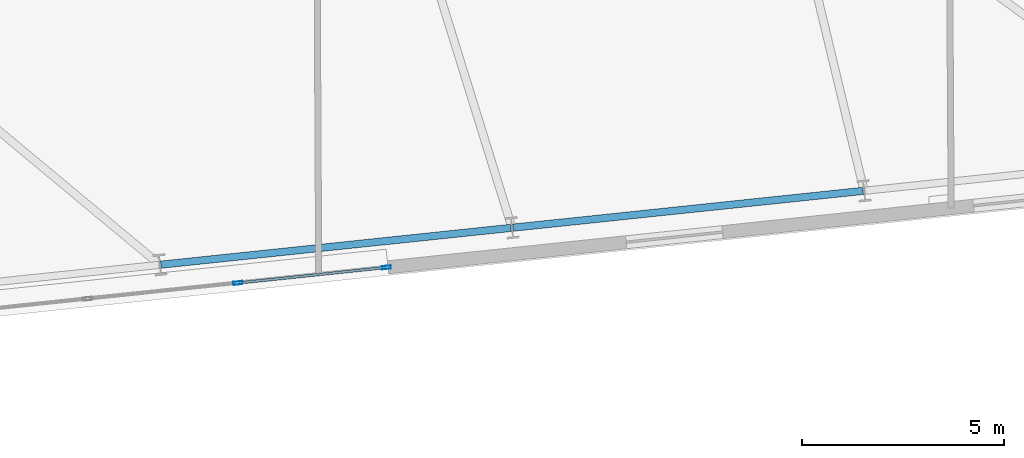
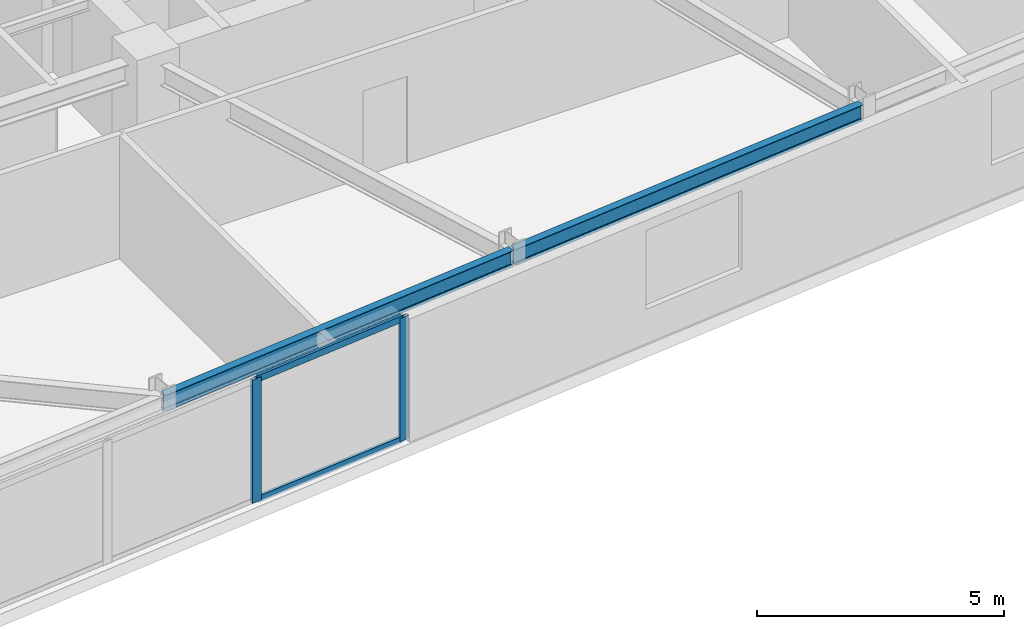
# One storey, part 8 of 23: 4 members, 2 beams, 1 element without a shape of its own.
"""IFC4 building model written with IfcOpenShell, lengths in metres."""

from ifc_helpers import new_model, si_unit, direction, frame, origin, origin_2d, place, context, subcontext, project, spatial, hollow_rectangle, i_section, extrude, material, layer, layer_set, material_profile, profile_set, type_object, element, aggregate, save


model = new_model("IFC4")

# Units and contexts
model_context = context("Model", 3, precision=1e-05, world=origin(), true_north=direction((0.0, 1.0)))
body_context = subcontext(model_context, "Body", "Model", "MODEL_VIEW")
ifc_project = project(units=[si_unit("LENGTHUNIT", "METRE"), si_unit("AREAUNIT", "SQUARE_METRE"), si_unit("VOLUMEUNIT", "CUBIC_METRE"), si_unit("PLANEANGLEUNIT", "RADIAN"), si_unit("MASSUNIT", "GRAM", prefix="KILO")], contexts=[model_context])

# Site, building, storey
site_placement = place(None, origin())
site = spatial("IfcSite", under=ifc_project, at=site_placement, CompositionType="ELEMENT")
building_placement = place(site_placement, origin())
building = spatial("IfcBuilding", under=site, at=building_placement, Name="Qobustan Lattice House", CompositionType="ELEMENT")
storey_placement = place(building_placement, frame((0.0, 0.0, 102.449951171875)))
storey = spatial("IfcBuildingStorey", under=building, at=storey_placement, Name="L28", CompositionType="ELEMENT", Elevation=102.449951171875)

# Beams
ifc_material_1 = material(Name="Steel S355", Category="steel")
ifc_material_profile_1 = material_profile(ifc_material_1, i_section(OverallWidth=0.179931640625, OverallDepth=0.39990234375, WebThickness=0.008544921875, FlangeThickness=0.013427734375, FilletRadius=0.02099609375, at=origin_2d()), Name="IPE400")
ifc_profile_set_1 = profile_set([ifc_material_profile_1], Name="Steel S355")
beam_type = type_object("IfcBeamType", Name="BM-SPD-IPE400", PredefinedType="SPANDREL", material=ifc_profile_set_1)
beam_1_placement = place(storey_placement, frame((3.51171875, -16.1484375, 2.844970703125), z_axis=(0.994521279781, 0.10453432002, 0.0), x_axis=(-0.10453432002, 0.994521279781, 0.0)))
element("IfcBeam", 1, at=beam_1_placement, inside=storey, type_object=beam_type, Name="L28 perimeter spandrel S4-S5", PredefinedType="SPANDREL", context=body_context, shape_type="SweptSolid", body=[
    extrude(i_section(OverallWidth=0.179931640625, OverallDepth=0.39990234375, WebThickness=0.008544921875, FlangeThickness=0.013427734375, FilletRadius=0.02099609375, at=origin_2d()), origin(), (0.0, 0.0, 1.0), 8.69970703125),
])
beam_2_placement = place(storey_placement, frame((12.213623046875, -15.23388671875, 2.844970703125), z_axis=(0.994521586424, 0.104531402636, 0.0), x_axis=(-0.104531402636, 0.994521586424, 0.0)))
element("IfcBeam", 2, at=beam_2_placement, inside=storey, type_object=beam_type, Name="L28 perimeter spandrel S5-S6", PredefinedType="SPANDREL", context=body_context, shape_type="SweptSolid", body=[
    extrude(i_section(OverallWidth=0.179931640625, OverallDepth=0.39990234375, WebThickness=0.008544921875, FlangeThickness=0.013427734375, FilletRadius=0.02099609375, at=origin_2d()), origin(), (0.0, 0.0, 1.0), 8.699951171875),
])

# Curtain wall, members
ifc_material_2 = material(Name="Anodised aluminium and low-E glazing", Category="aluminium")
ifc_layer = layer(ifc_material_2, 0.219970703125)
ifc_layer_set = layer_set([ifc_layer], Name="Anodised aluminium and low-E glazing")
curtain_wall_type = type_object("IfcCurtainWallType", Name="CW-IWN-01", PredefinedType="USERDEFINED", material=ifc_layer_set)
curtain_wall_placement = place(storey_placement, origin())
curtain_wall = element("IfcCurtainWall", 3, at=curtain_wall_placement, inside=storey, type_object=curtain_wall_type, Name="L28 IWAN-2 walnut-lined iwan curtain wall", ObjectType="CURTAIN WALL", PredefinedType="USERDEFINED")
ifc_material_3 = material(Name="Anodised aluminium EN AW-6063 T6", Category="aluminium")
ifc_material_profile_2 = material_profile(ifc_material_3, hollow_rectangle(XDim=0.080078125, YDim=0.219970703125, WallThickness=0.0048828125, at=origin_2d()), Name="CWM-220x80")
ifc_profile_set_2 = profile_set([ifc_material_profile_2], Name="Anodised aluminium EN AW-6063 T6")
member_type_1 = type_object("IfcMemberType", Name="CWM-MAIN-220", PredefinedType="MULLION", material=ifc_profile_set_2)
member_1_placement = place(storey_placement, frame((9.084228515625, -16.21630859375, 0.0), z_axis=(0.0, 0.0, 1.0), x_axis=(0.104526295675, -0.994522123189, 0.0)))
member_1 = element("IfcMember", 4, at=member_1_placement, type_object=member_type_1, Name="CW-IW mullion 1", PredefinedType="MULLION", context=body_context, shape_type="SweptSolid", body=[
    extrude(hollow_rectangle(XDim=0.080078125, YDim=0.219970703125, WallThickness=0.0048828125, at=origin_2d()), origin(), (0.0, 0.0, 1.0), 3.045166015625),
])
member_2_placement = place(storey_placement, frame((5.4111328125, -16.6025390625, 0.0), z_axis=(0.0, 0.0, 1.0), x_axis=(0.104526295675, -0.994522123189, 0.0)))
member_2 = element("IfcMember", 5, at=member_2_placement, type_object=member_type_1, Name="CW-IW mullion 2", PredefinedType="MULLION", context=body_context, shape_type="SweptSolid", body=[
    extrude(hollow_rectangle(XDim=0.080078125, YDim=0.219970703125, WallThickness=0.0048828125, at=origin_2d()), origin(), (0.0, 0.0, 1.0), 3.045166015625),
])
ifc_material_4 = material(Name="Anodised aluminium EN AW-6063 T6", Category="aluminium")
ifc_material_profile_3 = material_profile(ifc_material_4, hollow_rectangle(XDim=0.06494140625, YDim=0.159912109375, WallThickness=0.00390625, at=origin_2d()), Name="CWT-160x65")
ifc_profile_set_3 = profile_set([ifc_material_profile_3], Name="Anodised aluminium EN AW-6063 T6")
member_type_2 = type_object("IfcMemberType", Name="CWT-HOR-160", PredefinedType="USERDEFINED", material=ifc_profile_set_3)
member_3_placement = place(storey_placement, frame((9.04443359375, -16.220458984375, 0.032470703125), z_axis=(-0.99452210074, -0.104526509263, 0.0), x_axis=(0.104526509263, -0.99452210074, 0.0)))
member_3 = element("IfcMember", 6, at=member_3_placement, type_object=member_type_2, Name="CW-IW transom 1.1", ObjectType="TRANSOM", PredefinedType="USERDEFINED", context=body_context, shape_type="SweptSolid", body=[
    extrude(hollow_rectangle(XDim=0.06494140625, YDim=0.159912109375, WallThickness=0.00390625, at=origin_2d()), origin(), (0.0, 0.0, 1.0), 3.61328125),
])
member_4_placement = place(storey_placement, frame((9.04443359375, -16.220458984375, 3.012451171875), z_axis=(-0.99452210074, -0.104526509263, 0.0), x_axis=(0.104526509263, -0.99452210074, 0.0)))
member_4 = element("IfcMember", 7, at=member_4_placement, type_object=member_type_2, Name="CW-IW transom 1.2", ObjectType="TRANSOM", PredefinedType="USERDEFINED", context=body_context, shape_type="SweptSolid", body=[
    extrude(hollow_rectangle(XDim=0.06494140625, YDim=0.159912109375, WallThickness=0.00390625, at=origin_2d()), origin(), (0.0, 0.0, 1.0), 3.61328125),
])
aggregate(curtain_wall, [member_1, member_2, member_3, member_4])

save(model, "model.ifc")
